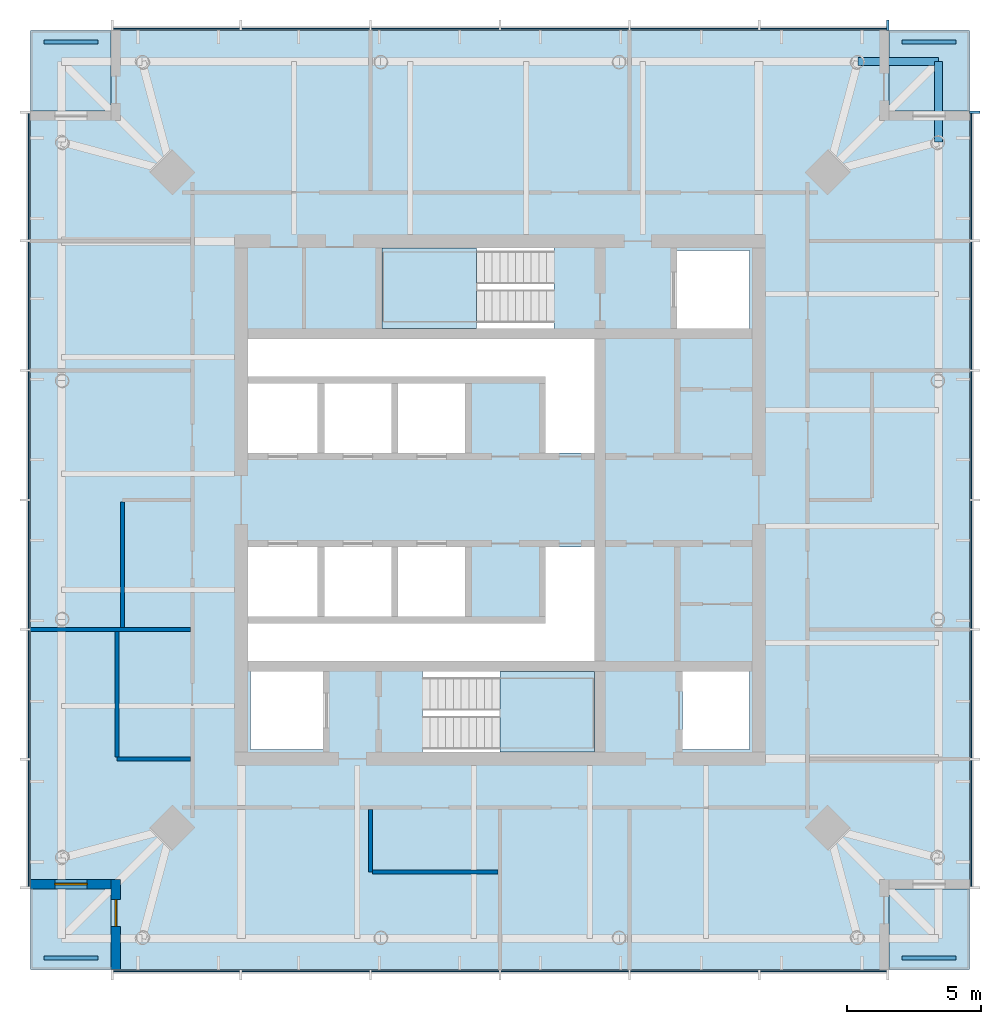
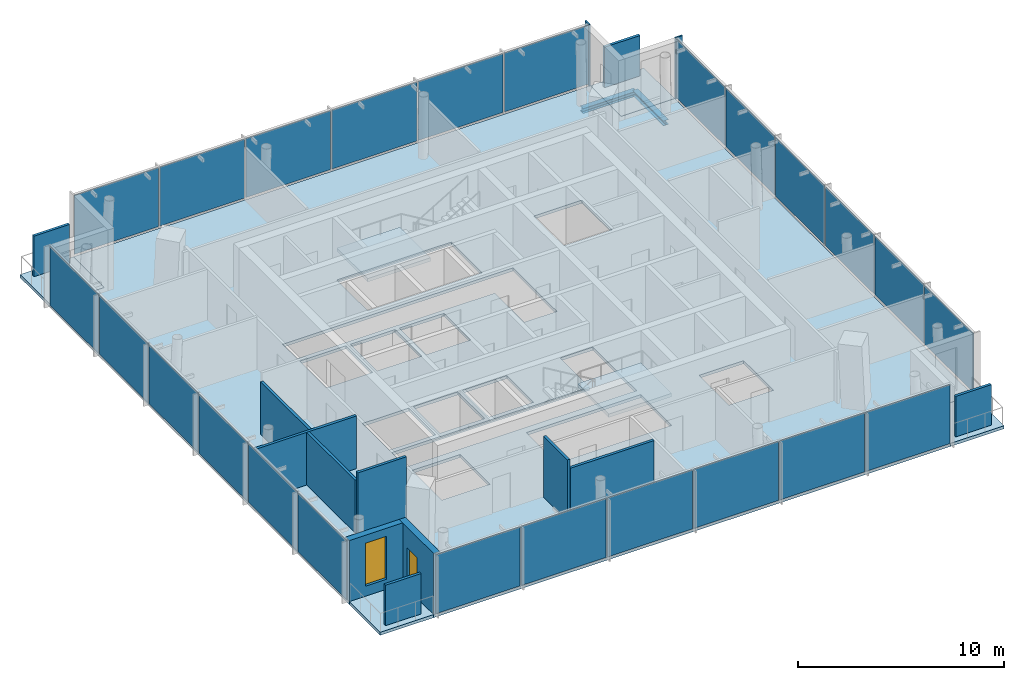
# One storey, part 3 of 7: 28 plates, 8 walls, 7 slabs, 2 beams, 2 members, 1 door, 1 window, 2 openings, 6 elements without a shape of their own.
"""IFC4 building model written with IfcOpenShell, lengths in metres."""

from ifc_helpers import new_model, si_unit, direction, frame, frame_2d, origin, origin_2d, place, context, subcontext, project, spatial, polyline, rectangle, i_section, outline, extrude, material, layer, layer_set, material_profile, profile_set, type_object, element, fill, aggregate, save


model = new_model("IFC4")

# Units and contexts
model_context = context("Model", 3, precision=1e-05, world=origin(), true_north=direction((0.0, 1.0)))
body_context = subcontext(model_context, "Body", "Model", "MODEL_VIEW")
ifc_project = project(units=[si_unit("LENGTHUNIT", "METRE"), si_unit("AREAUNIT", "SQUARE_METRE"), si_unit("VOLUMEUNIT", "CUBIC_METRE"), si_unit("PLANEANGLEUNIT", "RADIAN"), si_unit("MASSUNIT", "GRAM", prefix="KILO")], contexts=[model_context])

# Site, building, storey
site_placement = place(None, origin())
site = spatial("IfcSite", under=ifc_project, at=site_placement, CompositionType="ELEMENT")
building_placement = place(site_placement, origin())
building = spatial("IfcBuilding", under=site, at=building_placement, Name="Ostroluk Exchange", CompositionType="ELEMENT")
storey_placement = place(building_placement, frame((0.0, 0.0, 260.39990234375)))
storey = spatial("IfcBuildingStorey", under=building, at=storey_placement, Name="L67", CompositionType="ELEMENT", Elevation=260.39990234375)

# Beams
ifc_material_1 = material(Name="Steel S355", Category="steel")
ifc_material_profile_1 = material_profile(ifc_material_1, i_section(OverallWidth=0.300048828125, OverallDepth=0.300048828125, WebThickness=0.010986328125, FlangeThickness=0.01904296875, FilletRadius=0.027099609375, at=origin_2d()), Name="HEB 300")
ifc_profile_set_1 = profile_set([ifc_material_profile_1], Name="Steel S355")
beam_type = type_object("IfcBeamType", Name="Balcony beam HEB 300", PredefinedType="BEAM", material=ifc_profile_set_1)
for number, where, z_axis, x_axis, name in (
    (1, (61.35009765625, 59.35009765625, -0.329833984375), (0.0, 1.0, 0.0), (-1.0, 0.0, 0.0), "T1 east balcony beam a"),
    (2, (58.35009765625, 62.35009765625, -0.329833984375), (1.0, 0.0, 0.0), (0.0, 1.0, 0.0), "T1 east balcony beam b"),
):
    element("IfcBeam", number, at=place(storey_placement, frame(where, z_axis=z_axis, x_axis=x_axis)), inside=storey, type_object=beam_type, Name=name, PredefinedType="BEAM", context=body_context, shape_type="SweptSolid", body=[
        extrude(i_section(OverallWidth=0.300048828125, OverallDepth=0.300048828125, WebThickness=0.010986328125, FlangeThickness=0.01904296875, FilletRadius=0.027099609375, at=origin_2d()), origin(), (0.0, 0.0, 1.0), 3.0),
    ])

# Curtain wall, member
ifc_material_2 = material(Name="Laminated clear glass", Category="glass")
curtain_wall_type = type_object("IfcCurtainWallType", Name="Office tower facade", PredefinedType="USERDEFINED", material=ifc_material_2)
curtain_wall_1_placement = place(storey_placement, origin())
curtain_wall_1 = element("IfcCurtainWall", 3, at=curtain_wall_1_placement, inside=storey, type_object=curtain_wall_type, Name="Office tower east facade L67", ObjectType="UNITISED CURTAIN WALL", PredefinedType="USERDEFINED")
ifc_material_3 = material(Name="Aluminium mullion with limestone facing", Category="masonry")
ifc_material_profile_2 = material_profile(ifc_material_3, rectangle(XDim=0.39990234375, YDim=0.080078125, at=origin_2d()), Name="Tracery mullion 80 x 400")
ifc_profile_set_2 = profile_set([ifc_material_profile_2], Name="Aluminium mullion with limestone facing")
member_type = type_object("IfcMemberType", Name="Tracery mullion 80 x 400", PredefinedType="MULLION", material=ifc_profile_set_2)
member_1_placement = place(storey_placement, frame((62.699951171875, 60.4599609375, 0.0), z_axis=(0.0, 0.0, 1.0), x_axis=(-1.0, 0.0, 0.0)))
member_1 = element("IfcMember", 4, at=member_1_placement, type_object=member_type, Name="CW-O1 mullion 7", PredefinedType="MULLION", context=body_context, shape_type="SweptSolid", body=[
    extrude(rectangle(XDim=0.39990234375, YDim=0.080078125, at=origin_2d()), origin(), (0.0, 0.0, 1.0), 3.650146484375),
])

curtain_wall_2_placement = place(storey_placement, origin())
curtain_wall_2 = element("IfcCurtainWall", 5, at=curtain_wall_2_placement, inside=storey, type_object=curtain_wall_type, Name="Office tower north facade L67", ObjectType="UNITISED CURTAIN WALL", PredefinedType="USERDEFINED")
member_2_placement = place(storey_placement, frame((59.4599609375, 63.699951171875, 0.0), z_axis=(0.0, 0.0, 1.0), x_axis=(0.0, -1.0, 0.0)))
member_2 = element("IfcMember", 6, at=member_2_placement, type_object=member_type, Name="CW-O1 mullion 1", PredefinedType="MULLION", context=body_context, shape_type="SweptSolid", body=[
    extrude(rectangle(XDim=0.39990234375, YDim=0.080078125, at=origin_2d()), origin(), (0.0, 0.0, 1.0), 3.650146484375),
])

# Slabs
ifc_material_4 = material(Name="Concrete C35/45", Category="concrete")
ifc_layer_1 = layer(ifc_material_4, 0.179931640625)
ifc_layer_set_1 = layer_set([ifc_layer_1], Name="Balcony slab 180")
slab_type_1 = type_object("IfcSlabType", Name="Balcony slab 180", PredefinedType="USERDEFINED", material=ifc_layer_set_1)
slab_1_placement = place(storey_placement, frame((0.0, 0.0, -0.179931640625)))
element("IfcSlab", 7, at=slab_1_placement, inside=storey, type_object=slab_type_1, Name="Office tower SE corner balcony L67", ObjectType="BALCONY", PredefinedType="USERDEFINED", context=body_context, shape_type="SweptSolid", body=[
    extrude(outline(polyline([(59.5, 28.5), (62.5, 28.5), (62.5, 31.5), (59.5, 31.5), (59.5, 28.5)])), origin(), (0.0, 0.0, 1.0), 0.179931640625),
])
slab_2_placement = place(storey_placement, frame((0.0, 0.0, -0.179931640625)))
element("IfcSlab", 8, at=slab_2_placement, inside=storey, type_object=slab_type_1, Name="Office tower NE corner balcony L67", ObjectType="BALCONY", PredefinedType="USERDEFINED", context=body_context, shape_type="SweptSolid", body=[
    extrude(outline(polyline([(59.5, 60.5), (62.5, 60.5), (62.5, 63.5), (59.5, 63.5), (59.5, 60.5)])), origin(), (0.0, 0.0, 1.0), 0.179931640625),
])
slab_3_placement = place(storey_placement, frame((0.0, 0.0, -0.179931640625)))
element("IfcSlab", 9, at=slab_3_placement, inside=storey, type_object=slab_type_1, Name="Office tower NW corner balcony L67", ObjectType="BALCONY", PredefinedType="USERDEFINED", context=body_context, shape_type="SweptSolid", body=[
    extrude(outline(polyline([(27.5, 60.5), (30.5, 60.5), (30.5, 63.5), (27.5, 63.5), (27.5, 60.5)])), origin(), (0.0, 0.0, 1.0), 0.179931640625),
])
slab_4_placement = place(storey_placement, frame((0.0, 0.0, -0.179931640625)))
element("IfcSlab", 10, at=slab_4_placement, inside=storey, type_object=slab_type_1, Name="Office tower SW corner balcony L67", ObjectType="BALCONY", PredefinedType="USERDEFINED", context=body_context, shape_type="SweptSolid", body=[
    extrude(outline(polyline([(27.5, 28.5), (30.5, 28.5), (30.5, 31.5), (27.5, 31.5), (27.5, 28.5)])), origin(), (0.0, 0.0, 1.0), 0.179931640625),
])

# Plates
ifc_material_5 = material(Name="Steel S355 trellis with planting", Category="steel")
ifc_layer_2 = layer(ifc_material_5, 0.14990234375)
ifc_layer_set_2 = layer_set([ifc_layer_2], Name="Planted screen 150")
plate_type_1 = type_object("IfcPlateType", Name="Planted screen 150", PredefinedType="USERDEFINED", material=ifc_layer_set_2)
for number, where, z_axis, x_axis, name in (
    (11, (61.0, 28.925048828125, 0.000244140625), (0.0, 0.0, 1.0), (1.0, 0.0, 0.0), "Office tower SE planted screen L67"),
    (12, (61.0, 63.074951171875, 0.000244140625), (0.0, 0.0, 1.0), (1.0, 0.0, 0.0), "Office tower NE planted screen L67"),
    (13, (29.0, 63.074951171875, 0.000244140625), (0.0, 0.0, 1.0), (1.0, 0.0, 0.0), "Office tower NW planted screen L67"),
    (14, (29.0, 28.925048828125, 0.000244140625), (0.0, 0.0, 1.0), (1.0, 0.0, 0.0), "Office tower SW planted screen L67"),
):
    element("IfcPlate", number, at=place(storey_placement, frame(where, z_axis=z_axis, x_axis=x_axis)), inside=storey, type_object=plate_type_1, Name=name, ObjectType="PLANTED SCREEN", PredefinedType="USERDEFINED", context=body_context, shape_type="SweptSolid", body=[
        extrude(rectangle(XDim=2.0, YDim=0.14990234375, at=origin_2d()), origin(), (0.0, 0.0, 1.0), 2.39990234375),
    ])

# Stair, slab
ifc_material_6 = material(Name="Concrete C30/37", Category="concrete")
stair_type = type_object("IfcStairType", Name="Exit stair half turn 3800", PredefinedType="HALF_TURN_STAIR", material=ifc_material_6)
stair_1_placement = place(storey_placement, origin())
stair_1 = element("IfcStair", 15, at=stair_1_placement, inside=storey, type_object=stair_type, Name="Stair T1-S1 L67", PredefinedType="HALF_TURN_STAIR")
ifc_material_7 = material(Name="Concrete C30/37", Category="concrete")
ifc_layer_3 = layer(ifc_material_7, 0.199951171875)
ifc_layer_set_3 = layer_set([ifc_layer_3], Name="Stair landing 200")
slab_type_2 = type_object("IfcSlabType", Name="Stair landing 200", PredefinedType="LANDING", material=ifc_layer_set_3)
slab_5_placement = place(storey_placement, frame((0.0, 0.0, 1.7001953125)))
slab_5 = element("IfcSlab", 16, at=slab_5_placement, type_object=slab_type_2, Name="T1-S1 landing 1", PredefinedType="LANDING", context=body_context, shape_type="SweptSolid", body=[
    extrude(outline(polyline([(45.0, 36.60009765625), (45.0, 39.60009765625), (48.530029296875, 39.60009765625), (48.530029296875, 36.60009765625), (45.0, 36.60009765625)])), origin(), (0.0, 0.0, 1.0), 0.199951171875),
])
aggregate(stair_1, [slab_5])

stair_2_placement = place(storey_placement, origin())
stair_2 = element("IfcStair", 17, at=stair_2_placement, inside=storey, type_object=stair_type, Name="Stair T1-S2 L67", PredefinedType="HALF_TURN_STAIR")
slab_6_placement = place(storey_placement, frame((0.0, 0.0, 1.7001953125)))
slab_6 = element("IfcSlab", 18, at=slab_6_placement, type_object=slab_type_2, Name="T1-S2 landing 1", PredefinedType="LANDING", context=body_context, shape_type="SweptSolid", body=[
    extrude(outline(polyline([(44.1298828125, 52.39990234375), (44.1298828125, 55.39990234375), (40.60009765625, 55.39990234375), (40.60009765625, 52.39990234375), (44.1298828125, 52.39990234375)])), origin(), (0.0, 0.0, 1.0), 0.199951171875),
])
aggregate(stair_2, [slab_6])

# Slab
ifc_material_8 = material(Name="Concrete C35/45", Category="concrete")
ifc_layer_4 = layer(ifc_material_8, 0.179931640625)
ifc_layer_set_4 = layer_set([ifc_layer_4], Name="Tower floor slab 180 composite")
slab_type_3 = type_object("IfcSlabType", Name="Tower floor slab 180 composite", PredefinedType="FLOOR", material=ifc_layer_set_4)
slab_7_placement = place(storey_placement, frame((0.0, 0.0, -0.179931640625)))
element("IfcSlab", 19, at=slab_7_placement, inside=storey, type_object=slab_type_3, Name="Office tower floor slab L67", PredefinedType="FLOOR", context=body_context, shape_type="SweptSolid", body=[
    extrude(outline(polyline([(30.5, 28.5), (59.5, 28.5), (59.5, 31.5), (62.5, 31.5), (62.5, 60.5), (59.5, 60.5), (59.5, 63.5), (30.5, 63.5), (30.5, 60.5), (27.5, 60.5), (27.5, 31.5), (30.5, 31.5), (30.5, 28.5)]), holes=[polyline([(35.699951171875, 36.699951171875), (38.39990234375, 36.699951171875), (38.39990234375, 39.60009765625), (35.699951171875, 39.60009765625), (35.699951171875, 36.699951171875)]), polyline([(42.110107421875, 36.60009765625), (48.530029296875, 36.60009765625), (48.530029296875, 39.60009765625), (42.110107421875, 39.60009765625), (42.110107421875, 36.60009765625)]), polyline([(51.800048828125, 36.699951171875), (54.300048828125, 36.699951171875), (54.300048828125, 39.60009765625), (51.800048828125, 39.60009765625), (51.800048828125, 36.699951171875)]), polyline([(40.60009765625, 52.39990234375), (47.02001953125, 52.39990234375), (47.02001953125, 55.39990234375), (40.60009765625, 55.39990234375), (40.60009765625, 52.39990234375)]), polyline([(51.60009765625, 52.39990234375), (54.300048828125, 52.39990234375), (54.300048828125, 55.300048828125), (51.60009765625, 55.300048828125), (51.60009765625, 52.39990234375)]), polyline([(35.60009765625, 47.75), (38.199951171875, 47.75), (38.199951171875, 50.35009765625), (35.60009765625, 50.35009765625), (35.60009765625, 47.75)]), polyline([(38.449951171875, 47.75), (40.949951171875, 47.75), (40.949951171875, 50.35009765625), (38.449951171875, 50.35009765625), (38.449951171875, 47.75)]), polyline([(41.199951171875, 47.75), (43.699951171875, 47.75), (43.699951171875, 50.35009765625), (41.199951171875, 50.35009765625), (41.199951171875, 47.75)]), polyline([(35.60009765625, 41.64990234375), (38.199951171875, 41.64990234375), (38.199951171875, 44.25), (35.60009765625, 44.25), (35.60009765625, 41.64990234375)]), polyline([(38.449951171875, 41.64990234375), (40.949951171875, 41.64990234375), (40.949951171875, 44.25), (38.449951171875, 44.25), (38.449951171875, 41.64990234375)]), polyline([(41.199951171875, 41.64990234375), (43.699951171875, 41.64990234375), (43.699951171875, 44.25), (41.199951171875, 44.25), (41.199951171875, 41.64990234375)]), polyline([(48.530029296875, 52.0), (48.530029296875, 47.75), (46.699951171875, 47.75), (46.699951171875, 50.60009765625), (35.60009765625, 50.60009765625), (35.60009765625, 52.0), (48.530029296875, 52.0)]), polyline([(35.60009765625, 40.0), (35.60009765625, 41.39990234375), (46.699951171875, 41.39990234375), (46.699951171875, 44.25), (48.530029296875, 44.25), (48.530029296875, 40.0), (35.60009765625, 40.0)])]), origin(), (0.0, 0.0, 1.0), 0.179931640625),
])

# Curtain wall, plates
curtain_wall_3_placement = place(storey_placement, origin())
curtain_wall_3 = element("IfcCurtainWall", 20, at=curtain_wall_3_placement, inside=storey, type_object=curtain_wall_type, Name="Office tower south facade L67", ObjectType="UNITISED CURTAIN WALL", PredefinedType="USERDEFINED")
ifc_material_9 = material(Name="Laminated clear glass", Category="glass")
ifc_layer_5 = layer(ifc_material_9, 0.0439453125)
ifc_layer_set_5 = layer_set([ifc_layer_5], Name="Triple laminated clear glazing 44")
plate_type_2 = type_object("IfcPlateType", Name="Triple laminated clear glazing 44", PredefinedType="CURTAIN_PANEL", material=ifc_layer_set_5)
plate_1_placement = place(storey_placement, frame((32.936767578125, 28.425048828125, 0.080078125), z_axis=(0.0, 0.0, 1.0), x_axis=(1.0, 0.0, 0.0)))
plate_1 = element("IfcPlate", 21, at=plate_1_placement, type_object=plate_type_2, Name="CW-O1 panel 1.1", PredefinedType="CURTAIN_PANEL", context=body_context, shape_type="SweptSolid", body=[
    extrude(rectangle(XDim=4.71337890625, YDim=0.0439453125, at=origin_2d()), origin(), (0.0, 0.0, 1.0), 3.489990234375),
])
plate_2_placement = place(storey_placement, frame((37.75, 28.425048828125, 0.080078125), z_axis=(0.0, 0.0, 1.0), x_axis=(1.0, 0.0, 0.0)))
plate_2 = element("IfcPlate", 22, at=plate_2_placement, type_object=plate_type_2, Name="CW-O1 panel 2.1", PredefinedType="CURTAIN_PANEL", context=body_context, shape_type="SweptSolid", body=[
    extrude(rectangle(XDim=4.75341796875, YDim=0.0439453125, at=origin_2d()), origin(), (0.0, 0.0, 1.0), 3.489990234375),
])
plate_3_placement = place(storey_placement, frame((42.583251953125, 28.425048828125, 0.080078125), z_axis=(0.0, 0.0, 1.0), x_axis=(1.0, 0.0, 0.0)))
plate_3 = element("IfcPlate", 23, at=plate_3_placement, type_object=plate_type_2, Name="CW-O1 panel 3.1", PredefinedType="CURTAIN_PANEL", context=body_context, shape_type="SweptSolid", body=[
    extrude(rectangle(XDim=4.75341796875, YDim=0.0439453125, at=origin_2d()), origin(), (0.0, 0.0, 1.0), 3.489990234375),
])
plate_4_placement = place(storey_placement, frame((47.416748046875, 28.425048828125, 0.080078125), z_axis=(0.0, 0.0, 1.0), x_axis=(1.0, 0.0, 0.0)))
plate_4 = element("IfcPlate", 24, at=plate_4_placement, type_object=plate_type_2, Name="CW-O1 panel 4.1", PredefinedType="CURTAIN_PANEL", context=body_context, shape_type="SweptSolid", body=[
    extrude(rectangle(XDim=4.75341796875, YDim=0.0439453125, at=origin_2d()), origin(), (0.0, 0.0, 1.0), 3.489990234375),
])
plate_5_placement = place(storey_placement, frame((52.25, 28.425048828125, 0.080078125), z_axis=(0.0, 0.0, 1.0), x_axis=(1.0, 0.0, 0.0)))
plate_5 = element("IfcPlate", 25, at=plate_5_placement, type_object=plate_type_2, Name="CW-O1 panel 5.1", PredefinedType="CURTAIN_PANEL", context=body_context, shape_type="SweptSolid", body=[
    extrude(rectangle(XDim=4.75341796875, YDim=0.0439453125, at=origin_2d()), origin(), (0.0, 0.0, 1.0), 3.489990234375),
])
plate_6_placement = place(storey_placement, frame((57.063232421875, 28.425048828125, 0.080078125), z_axis=(0.0, 0.0, 1.0), x_axis=(1.0, 0.0, 0.0)))
plate_6 = element("IfcPlate", 26, at=plate_6_placement, type_object=plate_type_2, Name="CW-O1 panel 6.1", PredefinedType="CURTAIN_PANEL", context=body_context, shape_type="SweptSolid", body=[
    extrude(rectangle(XDim=4.71337890625, YDim=0.0439453125, at=origin_2d()), origin(), (0.0, 0.0, 1.0), 3.489990234375),
])
aggregate(curtain_wall_3, [plate_1, plate_2, plate_3, plate_4, plate_5, plate_6])

# Plate
plate_7_placement = place(storey_placement, frame((62.574951171875, 33.936767578125, 0.080078125), z_axis=(0.0, 0.0, 1.0), x_axis=(0.0, 1.0, 0.0)))
plate_7 = element("IfcPlate", 27, at=plate_7_placement, type_object=plate_type_2, Name="CW-O1 panel 1.1", PredefinedType="CURTAIN_PANEL", context=body_context, shape_type="SweptSolid", body=[
    extrude(rectangle(XDim=4.71337890625, YDim=0.0439453125, at=origin_2d()), origin(), (0.0, 0.0, 1.0), 3.489990234375),
])

plate_8_placement = place(storey_placement, frame((62.574951171875, 38.75, 0.080078125), z_axis=(0.0, 0.0, 1.0), x_axis=(0.0, 1.0, 0.0)))
plate_8 = element("IfcPlate", 28, at=plate_8_placement, type_object=plate_type_2, Name="CW-O1 panel 2.1", PredefinedType="CURTAIN_PANEL", context=body_context, shape_type="SweptSolid", body=[
    extrude(rectangle(XDim=4.75341796875, YDim=0.0439453125, at=origin_2d()), origin(), (0.0, 0.0, 1.0), 3.489990234375),
])

plate_9_placement = place(storey_placement, frame((62.574951171875, 43.583251953125, 0.080078125), z_axis=(0.0, 0.0, 1.0), x_axis=(0.0, 1.0, 0.0)))
plate_9 = element("IfcPlate", 29, at=plate_9_placement, type_object=plate_type_2, Name="CW-O1 panel 3.1", PredefinedType="CURTAIN_PANEL", context=body_context, shape_type="SweptSolid", body=[
    extrude(rectangle(XDim=4.75341796875, YDim=0.0439453125, at=origin_2d()), origin(), (0.0, 0.0, 1.0), 3.489990234375),
])

plate_10_placement = place(storey_placement, frame((62.574951171875, 48.416748046875, 0.080078125), z_axis=(0.0, 0.0, 1.0), x_axis=(0.0, 1.0, 0.0)))
plate_10 = element("IfcPlate", 30, at=plate_10_placement, type_object=plate_type_2, Name="CW-O1 panel 4.1", PredefinedType="CURTAIN_PANEL", context=body_context, shape_type="SweptSolid", body=[
    extrude(rectangle(XDim=4.75341796875, YDim=0.0439453125, at=origin_2d()), origin(), (0.0, 0.0, 1.0), 3.489990234375),
])

plate_11_placement = place(storey_placement, frame((62.574951171875, 53.25, 0.080078125), z_axis=(0.0, 0.0, 1.0), x_axis=(0.0, 1.0, 0.0)))
plate_11 = element("IfcPlate", 31, at=plate_11_placement, type_object=plate_type_2, Name="CW-O1 panel 5.1", PredefinedType="CURTAIN_PANEL", context=body_context, shape_type="SweptSolid", body=[
    extrude(rectangle(XDim=4.75341796875, YDim=0.0439453125, at=origin_2d()), origin(), (0.0, 0.0, 1.0), 3.489990234375),
])

plate_12_placement = place(storey_placement, frame((62.574951171875, 58.063232421875, 0.080078125), z_axis=(0.0, 0.0, 1.0), x_axis=(0.0, 1.0, 0.0)))
plate_12 = element("IfcPlate", 32, at=plate_12_placement, type_object=plate_type_2, Name="CW-O1 panel 6.1", PredefinedType="CURTAIN_PANEL", context=body_context, shape_type="SweptSolid", body=[
    extrude(rectangle(XDim=4.71337890625, YDim=0.0439453125, at=origin_2d()), origin(), (0.0, 0.0, 1.0), 3.489990234375),
])

aggregate(curtain_wall_1, [member_1, plate_7, plate_8, plate_9, plate_10, plate_11, plate_12])

plate_13_placement = place(storey_placement, frame((57.063232421875, 63.574951171875, 0.080078125), z_axis=(0.0, 0.0, 1.0), x_axis=(-1.0, 0.0, 0.0)))
plate_13 = element("IfcPlate", 33, at=plate_13_placement, type_object=plate_type_2, Name="CW-O1 panel 1.1", PredefinedType="CURTAIN_PANEL", context=body_context, shape_type="SweptSolid", body=[
    extrude(rectangle(XDim=4.71337890625, YDim=0.0439453125, at=origin_2d()), origin(), (0.0, 0.0, 1.0), 3.489990234375),
])

plate_14_placement = place(storey_placement, frame((52.25, 63.574951171875, 0.080078125), z_axis=(0.0, 0.0, 1.0), x_axis=(-1.0, 0.0, 0.0)))
plate_14 = element("IfcPlate", 34, at=plate_14_placement, type_object=plate_type_2, Name="CW-O1 panel 2.1", PredefinedType="CURTAIN_PANEL", context=body_context, shape_type="SweptSolid", body=[
    extrude(rectangle(XDim=4.75341796875, YDim=0.0439453125, at=origin_2d()), origin(), (0.0, 0.0, 1.0), 3.489990234375),
])

plate_15_placement = place(storey_placement, frame((47.416748046875, 63.574951171875, 0.080078125), z_axis=(0.0, 0.0, 1.0), x_axis=(-1.0, 0.0, 0.0)))
plate_15 = element("IfcPlate", 35, at=plate_15_placement, type_object=plate_type_2, Name="CW-O1 panel 3.1", PredefinedType="CURTAIN_PANEL", context=body_context, shape_type="SweptSolid", body=[
    extrude(rectangle(XDim=4.75341796875, YDim=0.0439453125, at=origin_2d()), origin(), (0.0, 0.0, 1.0), 3.489990234375),
])

plate_16_placement = place(storey_placement, frame((42.583251953125, 63.574951171875, 0.080078125), z_axis=(0.0, 0.0, 1.0), x_axis=(-1.0, 0.0, 0.0)))
plate_16 = element("IfcPlate", 36, at=plate_16_placement, type_object=plate_type_2, Name="CW-O1 panel 4.1", PredefinedType="CURTAIN_PANEL", context=body_context, shape_type="SweptSolid", body=[
    extrude(rectangle(XDim=4.75341796875, YDim=0.0439453125, at=origin_2d()), origin(), (0.0, 0.0, 1.0), 3.489990234375),
])

plate_17_placement = place(storey_placement, frame((37.75, 63.574951171875, 0.080078125), z_axis=(0.0, 0.0, 1.0), x_axis=(-1.0, 0.0, 0.0)))
plate_17 = element("IfcPlate", 37, at=plate_17_placement, type_object=plate_type_2, Name="CW-O1 panel 5.1", PredefinedType="CURTAIN_PANEL", context=body_context, shape_type="SweptSolid", body=[
    extrude(rectangle(XDim=4.75341796875, YDim=0.0439453125, at=origin_2d()), origin(), (0.0, 0.0, 1.0), 3.489990234375),
])

plate_18_placement = place(storey_placement, frame((32.936767578125, 63.574951171875, 0.080078125), z_axis=(0.0, 0.0, 1.0), x_axis=(-1.0, 0.0, 0.0)))
plate_18 = element("IfcPlate", 38, at=plate_18_placement, type_object=plate_type_2, Name="CW-O1 panel 6.1", PredefinedType="CURTAIN_PANEL", context=body_context, shape_type="SweptSolid", body=[
    extrude(rectangle(XDim=4.71337890625, YDim=0.0439453125, at=origin_2d()), origin(), (0.0, 0.0, 1.0), 3.489990234375),
])

aggregate(curtain_wall_2, [member_2, plate_13, plate_14, plate_15, plate_16, plate_17, plate_18])

# Curtain wall, plates
curtain_wall_4_placement = place(storey_placement, origin())
curtain_wall_4 = element("IfcCurtainWall", 39, at=curtain_wall_4_placement, inside=storey, type_object=curtain_wall_type, Name="Office tower west facade L67", ObjectType="UNITISED CURTAIN WALL", PredefinedType="USERDEFINED")
plate_19_placement = place(storey_placement, frame((27.425048828125, 58.063232421875, 0.080078125), z_axis=(0.0, 0.0, 1.0), x_axis=(0.0, -1.0, 0.0)))
plate_19 = element("IfcPlate", 40, at=plate_19_placement, type_object=plate_type_2, Name="CW-O1 panel 1.1", PredefinedType="CURTAIN_PANEL", context=body_context, shape_type="SweptSolid", body=[
    extrude(rectangle(XDim=4.71337890625, YDim=0.0439453125, at=origin_2d()), origin(), (0.0, 0.0, 1.0), 3.489990234375),
])
plate_20_placement = place(storey_placement, frame((27.425048828125, 53.25, 0.080078125), z_axis=(0.0, 0.0, 1.0), x_axis=(0.0, -1.0, 0.0)))
plate_20 = element("IfcPlate", 41, at=plate_20_placement, type_object=plate_type_2, Name="CW-O1 panel 2.1", PredefinedType="CURTAIN_PANEL", context=body_context, shape_type="SweptSolid", body=[
    extrude(rectangle(XDim=4.75341796875, YDim=0.0439453125, at=origin_2d()), origin(), (0.0, 0.0, 1.0), 3.489990234375),
])
plate_21_placement = place(storey_placement, frame((27.425048828125, 48.416748046875, 0.080078125), z_axis=(0.0, 0.0, 1.0), x_axis=(0.0, -1.0, 0.0)))
plate_21 = element("IfcPlate", 42, at=plate_21_placement, type_object=plate_type_2, Name="CW-O1 panel 3.1", PredefinedType="CURTAIN_PANEL", context=body_context, shape_type="SweptSolid", body=[
    extrude(rectangle(XDim=4.75341796875, YDim=0.0439453125, at=origin_2d()), origin(), (0.0, 0.0, 1.0), 3.489990234375),
])
plate_22_placement = place(storey_placement, frame((27.425048828125, 43.583251953125, 0.080078125), z_axis=(0.0, 0.0, 1.0), x_axis=(0.0, -1.0, 0.0)))
plate_22 = element("IfcPlate", 43, at=plate_22_placement, type_object=plate_type_2, Name="CW-O1 panel 4.1", PredefinedType="CURTAIN_PANEL", context=body_context, shape_type="SweptSolid", body=[
    extrude(rectangle(XDim=4.75341796875, YDim=0.0439453125, at=origin_2d()), origin(), (0.0, 0.0, 1.0), 3.489990234375),
])
plate_23_placement = place(storey_placement, frame((27.425048828125, 38.75, 0.080078125), z_axis=(0.0, 0.0, 1.0), x_axis=(0.0, -1.0, 0.0)))
plate_23 = element("IfcPlate", 44, at=plate_23_placement, type_object=plate_type_2, Name="CW-O1 panel 5.1", PredefinedType="CURTAIN_PANEL", context=body_context, shape_type="SweptSolid", body=[
    extrude(rectangle(XDim=4.75341796875, YDim=0.0439453125, at=origin_2d()), origin(), (0.0, 0.0, 1.0), 3.489990234375),
])
plate_24_placement = place(storey_placement, frame((27.425048828125, 33.936767578125, 0.080078125), z_axis=(0.0, 0.0, 1.0), x_axis=(0.0, -1.0, 0.0)))
plate_24 = element("IfcPlate", 45, at=plate_24_placement, type_object=plate_type_2, Name="CW-O1 panel 6.1", PredefinedType="CURTAIN_PANEL", context=body_context, shape_type="SweptSolid", body=[
    extrude(rectangle(XDim=4.71337890625, YDim=0.0439453125, at=origin_2d()), origin(), (0.0, 0.0, 1.0), 3.489990234375),
])
aggregate(curtain_wall_4, [plate_19, plate_20, plate_21, plate_22, plate_23, plate_24])

# Wall, opening, door
ifc_material_10 = material(Name="Limestone", Category="masonry")
ifc_layer_6 = layer(ifc_material_10, 0.35009765625)
ifc_layer_set_6 = layer_set([ifc_layer_6], Name="Limestone facade wall 350")
wall_type_1 = type_object("IfcWallType", Name="Limestone facade wall 350", PredefinedType="SOLIDWALL", material=ifc_layer_set_6)
wall_1_placement = place(storey_placement, frame((30.675048828125, 28.5, 0.0), z_axis=(0.0, 0.0, 1.0), x_axis=(0.0, 1.0, 0.0)))
wall_1 = element("IfcWall", 46, at=wall_1_placement, inside=storey, type_object=wall_type_1, Name="Office tower SW corner wall L67 a", PredefinedType="SOLIDWALL", context=body_context, shape_type="SweptSolid", body=[
    extrude(rectangle(XDim=3.35009765625, YDim=0.35009765625, at=frame_2d((1.675048828125, 0.0))), origin(), (0.0, 0.0, 1.0), 3.6201171875),
])
opening_1_placement = place(wall_1_placement, frame((1.60009765625, 0.0, 0.0)))
opening_1 = element("IfcOpeningElement", 47, at=opening_1_placement, cuts=wall_1, Name="Opening D-B1", PredefinedType="OPENING", context=body_context, shape_type="SweptSolid", body=[
    extrude(rectangle(XDim=1.0, YDim=2.39990234375, at=frame_2d((0.5, 1.199951171875))), frame((0.0, 0.18505859375, 0.0), z_axis=(0.0, -1.0, 0.0), x_axis=(1.0, 0.0, 0.0)), (0.0, 0.0, 1.0), 0.3701171875),
])
ifc_material_11 = material(Name="Bronze framed glazed door", Category="aluminium")
door_type = type_object("IfcDoorType", Name="Balcony door 1000 x 2400", OperationType="SINGLE_SWING_LEFT", PredefinedType="DOOR", material=ifc_material_11)
door_placement = place(opening_1_placement, origin())
door = element("IfcDoor", 48, at=door_placement, inside=storey, type_object=door_type, Name="Office tower SW balcony door L67", OperationType="SINGLE_SWING_RIGHT", OverallHeight=2.39990234375, OverallWidth=1.0, PredefinedType="DOOR", context=body_context, shape_type="SweptSolid", body=[
    extrude(rectangle(XDim=1.0, YDim=2.39990234375, at=frame_2d((0.5, 1.199951171875))), frame((0.0, 0.02490234375, 0.0), z_axis=(0.0, -1.0, 0.0), x_axis=(1.0, 0.0, 0.0)), (0.0, 0.0, 1.0), 0.050048828125),
])
fill(opening_1, door)

# Wall, opening, window
wall_2_placement = place(storey_placement, frame((30.5, 31.675048828125, 0.0), z_axis=(0.0, 0.0, 1.0), x_axis=(-1.0, 0.0, 0.0)))
wall_2 = element("IfcWall", 49, at=wall_2_placement, inside=storey, type_object=wall_type_1, Name="Office tower SW corner wall L67 b", PredefinedType="SOLIDWALL", context=body_context, shape_type="SweptSolid", body=[
    extrude(rectangle(XDim=3.0, YDim=0.35009765625, at=frame_2d((1.5, 0.0))), origin(), (0.0, 0.0, 1.0), 3.6201171875),
])
opening_2_placement = place(wall_2_placement, frame((0.89990234375, 0.0, 0.60009765625)))
opening_2 = element("IfcOpeningElement", 50, at=opening_2_placement, cuts=wall_2, Name="Opening WN-L1", PredefinedType="OPENING", context=body_context, shape_type="SweptSolid", body=[
    extrude(rectangle(XDim=1.199951171875, YDim=2.550048828125, at=frame_2d((0.60009765625, 1.27490234375))), frame((0.0, 0.18505859375, 0.0), z_axis=(0.0, -1.0, 0.0), x_axis=(1.0, 0.0, 0.0)), (0.0, 0.0, 1.0), 0.3701171875),
])
ifc_material_12 = material(Name="Laminated clear glass", Category="glass")
window_type = type_object("IfcWindowType", Name="Lancet window 1200 x 2550", PartitioningType="SINGLE_PANEL", PredefinedType="WINDOW", material=ifc_material_12)
window_placement = place(opening_2_placement, origin())
window = element("IfcWindow", 51, at=window_placement, inside=storey, type_object=window_type, Name="Office tower SW lancet window L67", OverallHeight=2.550048828125, OverallWidth=1.199951171875, PartitioningType="SINGLE_PANEL", PredefinedType="WINDOW", context=body_context, shape_type="SweptSolid", body=[
    extrude(rectangle(XDim=1.199951171875, YDim=2.550048828125, at=frame_2d((0.60009765625, 1.27490234375))), frame((0.0, 0.030029296875, 0.0), z_axis=(0.0, -1.0, 0.0), x_axis=(1.0, 0.0, 0.0)), (0.0, 0.0, 1.0), 0.06005859375),
])
fill(opening_2, window)

# Walls
ifc_material_13 = material(Name="Gypsum plasterboard partition", Category="gypsum")
ifc_layer_7 = layer(ifc_material_13, 0.14990234375)
ifc_layer_set_7 = layer_set([ifc_layer_7], Name="Plasterboard partition 150")
wall_type_2 = type_object("IfcWallType", Name="Plasterboard partition 150", PredefinedType="PARTITIONING", material=ifc_layer_set_7)
wall_3_placement = place(storey_placement, frame((33.449951171875, 41.166748046875, 0.0), z_axis=(0.0, 0.0, 1.0), x_axis=(-1.0, 0.0, 0.0)))
element("IfcWall", 52, at=wall_3_placement, inside=storey, type_object=wall_type_2, Name="Partition", PredefinedType="PARTITIONING", context=body_context, shape_type="SweptSolid", body=[
    extrude(rectangle(XDim=5.989990234375, YDim=0.14990234375, at=frame_2d((2.9951171875, 0.0))), origin(), (0.0, 0.0, 1.0), 3.1201171875),
])
wall_4_placement = place(storey_placement, frame((33.449951171875, 36.333251953125, 0.0), z_axis=(0.0, 0.0, 1.0), x_axis=(-1.0, 0.0, 0.0)))
element("IfcWall", 53, at=wall_4_placement, inside=storey, type_object=wall_type_2, Name="Partition", PredefinedType="PARTITIONING", context=body_context, shape_type="SweptSolid", body=[
    extrude(rectangle(XDim=2.724853515625, YDim=0.14990234375, at=frame_2d((1.3623046875, 0.0))), origin(), (0.0, 0.0, 1.0), 3.6201171875),
])
wall_5_placement = place(storey_placement, frame((40.24169921875, 32.125, 0.0), z_axis=(0.0, 0.0, 1.0), x_axis=(1.0, 0.0, 0.0)))
element("IfcWall", 54, at=wall_5_placement, inside=storey, type_object=wall_type_2, Name="Partition", PredefinedType="PARTITIONING", context=body_context, shape_type="SweptSolid", body=[
    extrude(rectangle(XDim=4.683349609375, YDim=0.14990234375, at=frame_2d((2.341796875, 0.0))), origin(), (0.0, 0.0, 1.0), 3.1201171875),
])
wall_6_placement = place(storey_placement, frame((40.166748046875, 34.449951171875, 0.0), z_axis=(0.0, 0.0, 1.0), x_axis=(0.0, -1.0, 0.0)))
element("IfcWall", 55, at=wall_6_placement, inside=storey, type_object=wall_type_2, Name="Partition", PredefinedType="PARTITIONING", context=body_context, shape_type="SweptSolid", body=[
    extrude(rectangle(XDim=2.324951171875, YDim=0.14990234375, at=frame_2d((1.16259765625, 0.0))), origin(), (0.0, 0.0, 1.0), 3.6201171875),
])
ifc_material_14 = material(Name="Gypsum plasterboard partition, moisture resistant", Category="gypsum")
ifc_layer_8 = layer(ifc_material_14, 0.14990234375)
ifc_layer_set_8 = layer_set([ifc_layer_8], Name="Plasterboard toilet partition 150")
wall_type_3 = type_object("IfcWallType", Name="Plasterboard toilet partition 150", PredefinedType="PARTITIONING", material=ifc_layer_set_8)
wall_7_placement = place(storey_placement, frame((30.925048828125, 45.925048828125, 0.0), z_axis=(0.0, 0.0, 1.0), x_axis=(0.0, -1.0, 0.0)))
element("IfcWall", 56, at=wall_7_placement, inside=storey, type_object=wall_type_3, Name="Toilet partition", PredefinedType="PARTITIONING", context=body_context, shape_type="SweptSolid", body=[
    extrude(rectangle(XDim=4.683349609375, YDim=0.14990234375, at=frame_2d((2.341796875, 0.0))), origin(), (0.0, 0.0, 1.0), 3.1201171875),
])
wall_8_placement = place(storey_placement, frame((30.72509765625, 41.091552734375, 0.0), z_axis=(0.0, 0.0, 1.0), x_axis=(0.0, -1.0, 0.0)))
element("IfcWall", 57, at=wall_8_placement, inside=storey, type_object=wall_type_3, Name="Toilet partition", PredefinedType="PARTITIONING", context=body_context, shape_type="SweptSolid", body=[
    extrude(rectangle(XDim=4.68310546875, YDim=0.14990234375, at=frame_2d((2.341552734375, 0.0))), origin(), (0.0, 0.0, 1.0), 3.1201171875),
])

save(model, "model.ifc")
